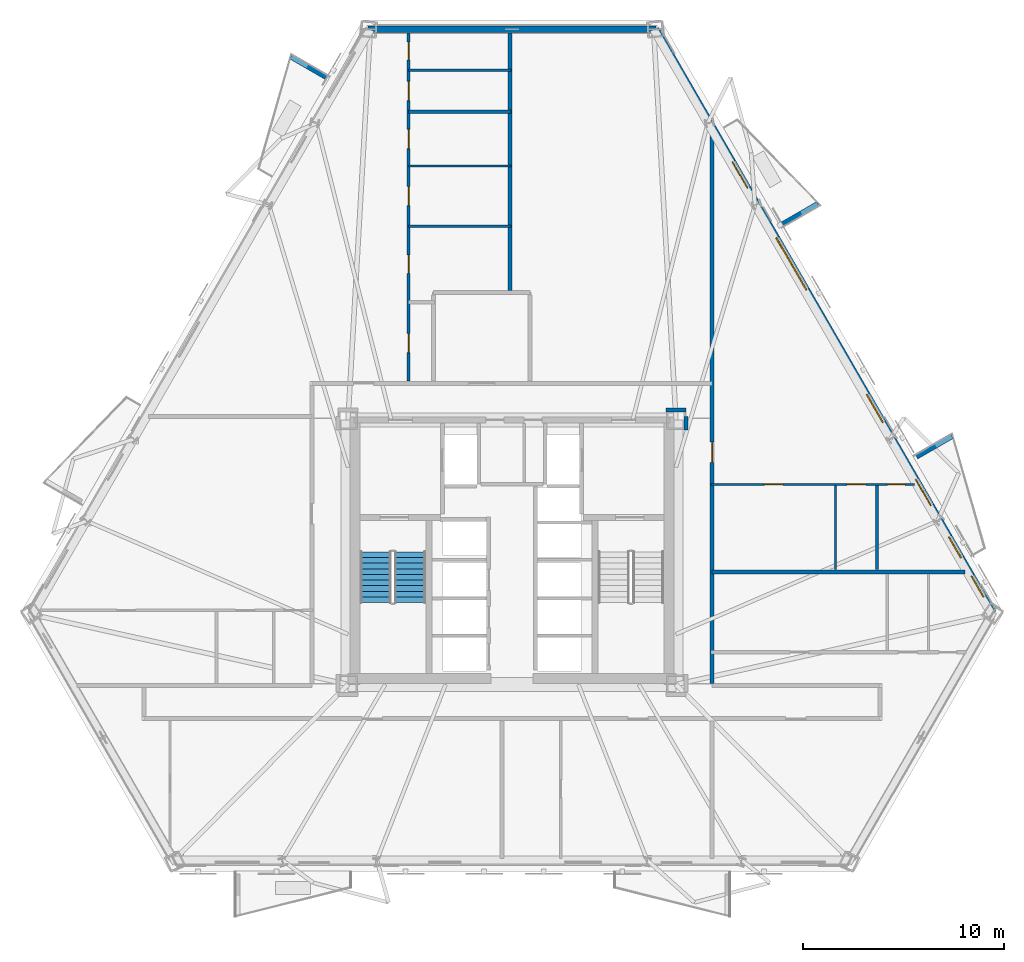
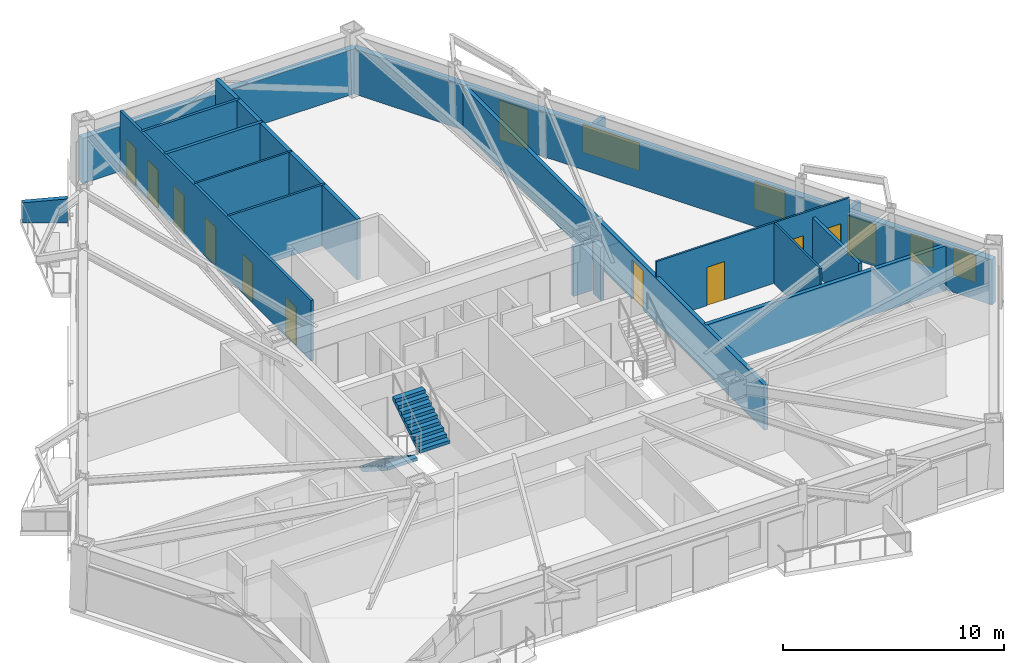
# One storey, part 5 of 10: 18 walls, 12 doors, 4 windows, 2 stair flights, 16 openings, 1 element without a shape of its own.
"""IFC4 building model written with IfcOpenShell, lengths in metres."""

from ifc_helpers import new_model, si_unit, direction, frame, frame_2d, origin, place, context, subcontext, project, spatial, polyline, rectangle, outline, extrude, material, layer, layer_set, type_object, element, fill, aggregate, save


model = new_model("IFC4")

# Units and contexts
model_context = context("Model", 3, precision=1e-05, world=origin(), true_north=direction((0.0, 1.0)))
body_context = subcontext(model_context, "Body", "Model", "MODEL_VIEW")
ifc_project = project(units=[si_unit("LENGTHUNIT", "METRE"), si_unit("AREAUNIT", "SQUARE_METRE"), si_unit("VOLUMEUNIT", "CUBIC_METRE"), si_unit("PLANEANGLEUNIT", "RADIAN"), si_unit("MASSUNIT", "GRAM", prefix="KILO")], contexts=[model_context])

# Site, building, storey
site_placement = place(None, origin())
site = spatial("IfcSite", under=ifc_project, at=site_placement, CompositionType="ELEMENT")
building_placement = place(site_placement, origin())
building = spatial("IfcBuilding", under=site, at=building_placement, Name="Oramaril Tower", CompositionType="ELEMENT")
storey_placement = place(building_placement, frame((0.0, 0.0, 56.10009765625)))
storey = spatial("IfcBuildingStorey", under=building, at=storey_placement, Name="L14", CompositionType="ELEMENT", Elevation=56.10009765625)

# Wall, openings, doors, windows
ifc_material_1 = material(Name="Warm Cream Limestone", Category="masonry")
ifc_layer_1 = layer(ifc_material_1, 0.340087890625)
ifc_layer_set_1 = layer_set([ifc_layer_1], Name="WT-EXT34")
wall_type_1 = type_object("IfcWallType", Name="WT-EXT34", PredefinedType="SOLIDWALL", material=ifc_layer_set_1)
wall_1_placement = place(storey_placement, frame((61.39599609375, 14.55859375, 0.0), z_axis=(0.0, 0.0, 1.0), x_axis=(-0.500002389912, 0.866024023964, 0.0)))
wall_1 = element("IfcWall", 1, at=wall_1_placement, inside=storey, type_object=wall_type_1, Name="L14 Tower Limestone Facade Wall 4M", PredefinedType="SOLIDWALL", context=body_context, shape_type="SweptSolid", body=[
    extrude(rectangle(XDim=33.493896484375, YDim=0.340087890625, at=frame_2d((16.7470703125, 0.0))), origin(), (0.0, 0.0, 1.0), 2.493896484375),
])
opening_1_placement = place(wall_1_placement, frame((6.159423828125, 0.0, 0.0)))
opening_1 = element("IfcOpeningElement", 2, at=opening_1_placement, cuts=wall_1, Name="Opening D-L14-BAL-NE1", PredefinedType="OPENING", context=body_context, shape_type="SweptSolid", body=[
    extrude(rectangle(XDim=1.5, YDim=2.199951171875, at=frame_2d((0.75, 1.10009765625))), frame((0.0, 0.169921875, 0.0), z_axis=(0.0, -1.0, 0.0), x_axis=(1.0, 0.0, 0.0)), (0.0, 0.0, 1.0), 0.340087890625),
])
opening_2_placement = place(wall_1_placement, frame((24.37939453125, 0.0, 0.0)))
opening_2 = element("IfcOpeningElement", 3, at=opening_2_placement, cuts=wall_1, Name="Opening D-L14-BAL-NE2", PredefinedType="OPENING", context=body_context, shape_type="SweptSolid", body=[
    extrude(rectangle(XDim=1.5, YDim=2.199951171875, at=frame_2d((0.75, 1.10009765625))), frame((0.0, 0.169921875, 0.0), z_axis=(0.0, -1.0, 0.0), x_axis=(1.0, 0.0, 0.0)), (0.0, 0.0, 1.0), 0.340087890625),
])
opening_3_placement = place(wall_1_placement, frame((0.919921875, 0.0, 0.85009765625)))
opening_3 = element("IfcOpeningElement", 4, at=opening_3_placement, cuts=wall_1, Name="Opening WN-09", PredefinedType="OPENING", context=body_context, shape_type="SweptSolid", body=[
    extrude(rectangle(XDim=1.199951171875, YDim=1.47998046875, at=frame_2d((0.60009765625, 0.739990234375))), frame((0.0, 0.169921875, 0.0), z_axis=(0.0, -1.0, 0.0), x_axis=(1.0, 0.0, 0.0)), (0.0, 0.0, 1.0), 0.340087890625),
])
opening_4_placement = place(wall_1_placement, frame((10.927978515625, 0.0, 0.85009765625)))
opening_4 = element("IfcOpeningElement", 5, at=opening_4_placement, cuts=wall_1, Name="Opening WN-07", PredefinedType="OPENING", context=body_context, shape_type="SweptSolid", body=[
    extrude(rectangle(XDim=1.60009765625, YDim=1.533935546875, at=frame_2d((0.800048828125, 0.76708984375))), frame((0.0, 0.169921875, 0.0), z_axis=(0.0, -1.0, 0.0), x_axis=(1.0, 0.0, 0.0)), (0.0, 0.0, 1.0), 0.340087890625),
])
opening_5_placement = place(wall_1_placement, frame((18.528564453125, 0.0, 0.85009765625)))
opening_5 = element("IfcOpeningElement", 6, at=opening_5_placement, cuts=wall_1, Name="Opening WN-10", PredefinedType="OPENING", context=body_context, shape_type="SweptSolid", body=[
    extrude(rectangle(XDim=3.0, YDim=1.533935546875, at=frame_2d((1.5, 0.76708984375))), frame((0.0, 0.169921875, 0.0), z_axis=(0.0, -1.0, 0.0), x_axis=(1.0, 0.0, 0.0)), (0.0, 0.0, 1.0), 0.340087890625),
])
opening_6_placement = place(wall_1_placement, frame((3.16162109375, 0.0, 0.85009765625)))
opening_6 = element("IfcOpeningElement", 7, at=opening_6_placement, cuts=wall_1, Name="Opening WN-09", PredefinedType="OPENING", context=body_context, shape_type="SweptSolid", body=[
    extrude(rectangle(XDim=1.199951171875, YDim=1.47998046875, at=frame_2d((0.60009765625, 0.739990234375))), frame((0.0, 0.169921875, 0.0), z_axis=(0.0, -1.0, 0.0), x_axis=(1.0, 0.0, 0.0)), (0.0, 0.0, 1.0), 0.340087890625),
])
ifc_material_2 = material(Name="Anodised Aluminium 6063-T6", Category="aluminium")
door_type_1 = type_object("IfcDoorType", Name="DT-BAL", OperationType="NOTDEFINED", PredefinedType="DOOR", material=ifc_material_2)
door_1_placement = place(opening_1_placement, origin())
door_1 = element("IfcDoor", 8, at=door_1_placement, inside=storey, type_object=door_type_1, Name="L14 Balcony Glazed Door L14-BAL-NE1", OperationType="SINGLE_SWING_LEFT", OverallHeight=2.199951171875, OverallWidth=1.5, PredefinedType="DOOR", context=body_context, shape_type="SweptSolid", body=[
    extrude(rectangle(XDim=1.5, YDim=2.199951171875, at=frame_2d((0.75, 1.10009765625))), frame((0.0, 0.02490234375, 0.0), z_axis=(0.0, -1.0, 0.0), x_axis=(1.0, 0.0, 0.0)), (0.0, 0.0, 1.0), 0.050048828125),
])
fill(opening_1, door_1)
door_2_placement = place(opening_2_placement, origin())
door_2 = element("IfcDoor", 9, at=door_2_placement, inside=storey, type_object=door_type_1, Name="L14 Balcony Glazed Door L14-BAL-NE2", OperationType="SINGLE_SWING_RIGHT", OverallHeight=2.199951171875, OverallWidth=1.5, PredefinedType="DOOR", context=body_context, shape_type="SweptSolid", body=[
    extrude(rectangle(XDim=1.5, YDim=2.199951171875, at=frame_2d((0.75, 1.10009765625))), frame((0.0, 0.02490234375, 0.0), z_axis=(0.0, -1.0, 0.0), x_axis=(1.0, 0.0, 0.0)), (0.0, 0.0, 1.0), 0.050048828125),
])
fill(opening_2, door_2)
ifc_material_3 = material(Name="Coastal Low-E Insulated Glass", Category="glass")
window_type_1 = type_object("IfcWindowType", Name="WNT-07", PartitioningType="SINGLE_PANEL", PredefinedType="WINDOW", material=ifc_material_3)
window_1_placement = place(opening_4_placement, origin())
window_1 = element("IfcWindow", 10, at=window_1_placement, inside=storey, type_object=window_type_1, Name="L14 Chicago Bay Window WN-07", OverallHeight=1.533935546875, OverallWidth=1.60009765625, PartitioningType="SINGLE_PANEL", PredefinedType="WINDOW", context=body_context, shape_type="SweptSolid", body=[
    extrude(rectangle(XDim=1.60009765625, YDim=1.533935546875, at=frame_2d((0.800048828125, 0.76708984375))), frame((0.0, 0.030029296875, 0.0), z_axis=(0.0, -1.0, 0.0), x_axis=(1.0, 0.0, 0.0)), (0.0, 0.0, 1.0), 0.06005859375),
])
fill(opening_4, window_1)
ifc_material_4 = material(Name="Coastal Low-E Insulated Glass", Category="glass")
window_type_2 = type_object("IfcWindowType", Name="WNT-09", PartitioningType="SINGLE_PANEL", PredefinedType="WINDOW", material=ifc_material_4)
window_2_placement = place(opening_3_placement, origin())
window_2 = element("IfcWindow", 11, at=window_2_placement, inside=storey, type_object=window_type_2, Name="L14 Chicago Bay Window WN-09", OverallHeight=1.47998046875, OverallWidth=1.199951171875, PartitioningType="SINGLE_PANEL", PredefinedType="WINDOW", context=body_context, shape_type="SweptSolid", body=[
    extrude(rectangle(XDim=1.199951171875, YDim=1.47998046875, at=frame_2d((0.60009765625, 0.739990234375))), frame((0.0, 0.030029296875, 0.0), z_axis=(0.0, -1.0, 0.0), x_axis=(1.0, 0.0, 0.0)), (0.0, 0.0, 1.0), 0.06005859375),
])
fill(opening_3, window_2)
window_3_placement = place(opening_6_placement, origin())
window_3 = element("IfcWindow", 12, at=window_3_placement, inside=storey, type_object=window_type_2, Name="L14 Chicago Bay Window WN-09", OverallHeight=1.47998046875, OverallWidth=1.199951171875, PartitioningType="SINGLE_PANEL", PredefinedType="WINDOW", context=body_context, shape_type="SweptSolid", body=[
    extrude(rectangle(XDim=1.199951171875, YDim=1.47998046875, at=frame_2d((0.60009765625, 0.739990234375))), frame((0.0, 0.030029296875, 0.0), z_axis=(0.0, -1.0, 0.0), x_axis=(1.0, 0.0, 0.0)), (0.0, 0.0, 1.0), 0.06005859375),
])
fill(opening_6, window_3)
ifc_material_5 = material(Name="Coastal Low-E Insulated Glass", Category="glass")
window_type_3 = type_object("IfcWindowType", Name="WNT-10", PartitioningType="SINGLE_PANEL", PredefinedType="WINDOW", material=ifc_material_5)
window_4_placement = place(opening_5_placement, origin())
window_4 = element("IfcWindow", 13, at=window_4_placement, inside=storey, type_object=window_type_3, Name="L14 Chicago Bay Window WN-10", OverallHeight=1.533935546875, OverallWidth=3.0, PartitioningType="SINGLE_PANEL", PredefinedType="WINDOW", context=body_context, shape_type="SweptSolid", body=[
    extrude(rectangle(XDim=3.0, YDim=1.533935546875, at=frame_2d((1.5, 0.76708984375))), frame((0.0, 0.030029296875, 0.0), z_axis=(0.0, -1.0, 0.0), x_axis=(1.0, 0.0, 0.0)), (0.0, 0.0, 1.0), 0.06005859375),
])
fill(opening_5, window_4)

# Walls
wall_2_placement = place(storey_placement, frame((44.64892578125, 43.565185546875, 0.0), z_axis=(0.0, 0.0, 1.0), x_axis=(-1.0, 0.0, 0.0)))
element("IfcWall", 14, at=wall_2_placement, inside=storey, type_object=wall_type_1, Name="L14 Tower Limestone Facade Wall 5M", PredefinedType="SOLIDWALL", context=body_context, shape_type="SweptSolid", body=[
    extrude(rectangle(XDim=14.2978515625, YDim=0.340087890625, at=frame_2d((7.14892578125, 0.0))), origin(), (0.0, 0.0, 1.0), 2.493896484375),
])
ifc_material_6 = material(Name="Concrete C40/50", Category="concrete")
ifc_layer_2 = layer(ifc_material_6, 0.22998046875)
ifc_layer_set_2 = layer_set([ifc_layer_2], Name="WT-PRP23")
wall_type_2 = type_object("IfcWallType", Name="WT-PRP23", PredefinedType="PARAPET", material=ifc_layer_set_2)
for number, where, z_axis, x_axis, name in (
    (15, (57.611572265625, 22.30908203125, 0.0), (0.0, 0.0, 1.0), (0.866012356593, 0.500022597718, 0.0), "L14 Trapezoidal Balcony Frame Cheek L14-BAL-NE1-R"),
    (16, (50.931640625, 33.87939453125, 0.0), (0.0, 0.0, 1.0), (0.866012356593, 0.500022597718, 0.0), "L14 Trapezoidal Balcony Frame Cheek L14-BAL-NE2-L"),
    (17, (28.27587890625, 41.1669921875, 0.0), (0.0, 0.0, 1.0), (-0.866012356593, 0.500022597718, 0.0), "L14 Trapezoidal Balcony Frame Cheek L14-BAL-NW1-L"),
):
    element("IfcWall", number, at=place(storey_placement, frame(where, z_axis=z_axis, x_axis=x_axis)), inside=storey, type_object=wall_type_2, Name=name, PredefinedType="PARAPET", context=body_context, shape_type="SweptSolid", body=[
        extrude(outline(polyline([(0.0, 0.0), (2.0419921875, 0.0), (2.0419921875, 1.099853515625), (0.0, 1.31982421875), (0.0, 0.0)])), frame((0.0, 0.114990234375, 0.0), z_axis=(0.0, -1.0, 0.0), x_axis=(1.0, 0.0, 0.0)), (0.0, 0.0, 1.0), 0.22998046875),
    ])

# Wall, openings, doors
ifc_material_7 = material(Name="Acoustic Gypsum Board Partition")
ifc_layer_3 = layer(ifc_material_7, 0.10009765625)
ifc_layer_set_3 = layer_set([ifc_layer_3], Name="WT-PT10")
wall_type_3 = type_object("IfcWallType", Name="WT-PT10", PredefinedType="PARTITIONING", material=ifc_layer_set_3)
wall_3_placement = place(storey_placement, frame((47.39990234375, 20.949951171875, 0.0), z_axis=(0.0, 0.0, 1.0), x_axis=(1.0, 0.0, 0.0)))
wall_3 = element("IfcWall", 18, at=wall_3_placement, inside=storey, type_object=wall_type_3, Name="L14 Interior Partition PT-10", PredefinedType="PARTITIONING", context=body_context, shape_type="SweptSolid", body=[
    extrude(rectangle(XDim=10.10498046875, YDim=0.10009765625, at=frame_2d((5.052490234375, 0.0))), origin(), (0.0, 0.0, 1.0), 3.35986328125),
])
opening_7_placement = place(wall_3_placement, frame((2.646240234375, 0.0, 0.0)))
opening_7 = element("IfcOpeningElement", 19, at=opening_7_placement, cuts=wall_3, Name="Opening D-L14-10", PredefinedType="OPENING", context=body_context, shape_type="SweptSolid", body=[
    extrude(rectangle(XDim=0.919921875, YDim=2.1201171875, at=frame_2d((0.4599609375, 1.06005859375))), frame((0.0, 0.050048828125, 0.0), z_axis=(0.0, -1.0, 0.0), x_axis=(1.0, 0.0, 0.0)), (0.0, 0.0, 1.0), 0.10009765625),
])
opening_8_placement = place(wall_3_placement, frame((6.74267578125, 0.0, 0.0)))
opening_8 = element("IfcOpeningElement", 20, at=opening_8_placement, cuts=wall_3, Name="Opening D-L14-11", PredefinedType="OPENING", context=body_context, shape_type="SweptSolid", body=[
    extrude(rectangle(XDim=0.949951171875, YDim=2.10009765625, at=frame_2d((0.47509765625, 1.050048828125))), frame((0.0, 0.050048828125, 0.0), z_axis=(0.0, -1.0, 0.0), x_axis=(1.0, 0.0, 0.0)), (0.0, 0.0, 1.0), 0.10009765625),
])
opening_9_placement = place(wall_3_placement, frame((8.7626953125, 0.0, 0.0)))
opening_9 = element("IfcOpeningElement", 21, at=opening_9_placement, cuts=wall_3, Name="Opening D-L14-12", PredefinedType="OPENING", context=body_context, shape_type="SweptSolid", body=[
    extrude(rectangle(XDim=0.8798828125, YDim=2.080078125, at=frame_2d((0.43994140625, 1.0400390625))), frame((0.0, 0.050048828125, 0.0), z_axis=(0.0, -1.0, 0.0), x_axis=(1.0, 0.0, 0.0)), (0.0, 0.0, 1.0), 0.10009765625),
])
ifc_material_8 = material(Name="FSC Brazilian Freijo Hardwood", Category="wood")
door_type_2 = type_object("IfcDoorType", Name="DT-BATH", OperationType="NOTDEFINED", PredefinedType="DOOR", material=ifc_material_8)
door_3_placement = place(opening_9_placement, origin())
door_3 = element("IfcDoor", 22, at=door_3_placement, inside=storey, type_object=door_type_2, Name="L14 Flat L14-U5 Bathroom Door D-L14-12", OperationType="SINGLE_SWING_LEFT", OverallHeight=2.080078125, OverallWidth=0.8798828125, PredefinedType="DOOR", context=body_context, shape_type="SweptSolid", body=[
    extrude(rectangle(XDim=0.8798828125, YDim=2.080078125, at=frame_2d((0.43994140625, 1.0400390625))), frame((0.0, 0.02490234375, 0.0), z_axis=(0.0, -1.0, 0.0), x_axis=(1.0, 0.0, 0.0)), (0.0, 0.0, 1.0), 0.050048828125),
])
fill(opening_9, door_3)
ifc_material_9 = material(Name="FSC Brazilian Freijo Hardwood", Category="wood")
door_type_3 = type_object("IfcDoorType", Name="DT-BED", OperationType="NOTDEFINED", PredefinedType="DOOR", material=ifc_material_9)
door_4_placement = place(opening_7_placement, origin())
door_4 = element("IfcDoor", 23, at=door_4_placement, inside=storey, type_object=door_type_3, Name="L14 Flat L14-U5 Master Bedroom Door D-L14-10", OperationType="SINGLE_SWING_LEFT", OverallHeight=2.1201171875, OverallWidth=0.919921875, PredefinedType="DOOR", context=body_context, shape_type="SweptSolid", body=[
    extrude(rectangle(XDim=0.919921875, YDim=2.1201171875, at=frame_2d((0.4599609375, 1.06005859375))), frame((0.0, 0.02490234375, 0.0), z_axis=(0.0, -1.0, 0.0), x_axis=(1.0, 0.0, 0.0)), (0.0, 0.0, 1.0), 0.050048828125),
])
fill(opening_7, door_4)
ifc_material_10 = material(Name="FSC Brazilian Freijo Hardwood", Category="wood")
door_type_4 = type_object("IfcDoorType", Name="DT-STDY", OperationType="NOTDEFINED", PredefinedType="DOOR", material=ifc_material_10)
door_5_placement = place(opening_8_placement, origin())
door_5 = element("IfcDoor", 24, at=door_5_placement, inside=storey, type_object=door_type_4, Name="L14 Flat L14-U5 Kitchen Door D-L14-11", OperationType="SINGLE_SWING_RIGHT", OverallHeight=2.10009765625, OverallWidth=0.949951171875, PredefinedType="DOOR", context=body_context, shape_type="SweptSolid", body=[
    extrude(rectangle(XDim=0.949951171875, YDim=2.10009765625, at=frame_2d((0.47509765625, 1.050048828125))), frame((0.0, 0.02490234375, 0.0), z_axis=(0.0, -1.0, 0.0), x_axis=(1.0, 0.0, 0.0)), (0.0, 0.0, 1.0), 0.050048828125),
])
fill(opening_8, door_5)

# Walls
wall_4_placement = place(storey_placement, frame((32.363525390625, 36.760009765625, 0.0), z_axis=(0.0, 0.0, 1.0), x_axis=(1.0, 0.0, 0.0)))
element("IfcWall", 25, at=wall_4_placement, inside=storey, type_object=wall_type_3, Name="L14 Interior Partition PT-10", PredefinedType="PARTITIONING", context=body_context, shape_type="SweptSolid", body=[
    extrude(rectangle(XDim=5.08642578125, YDim=0.10009765625, at=frame_2d((2.543212890625, 0.0))), origin(), (0.0, 0.0, 1.0), 3.35986328125),
])
wall_5_placement = place(storey_placement, frame((53.590087890625, 16.7041015625, 0.0), z_axis=(0.0, 0.0, 1.0), x_axis=(0.0, 1.0, 0.0)))
element("IfcWall", 26, at=wall_5_placement, inside=storey, type_object=wall_type_3, Name="L14 Interior Partition PT-10", PredefinedType="PARTITIONING", context=body_context, shape_type="SweptSolid", body=[
    extrude(rectangle(XDim=4.19189453125, YDim=0.10009765625, at=frame_2d((2.095947265625, 0.0))), origin(), (0.0, 0.0, 1.0), 3.35986328125),
])
ifc_material_11 = material(Name="Acoustic Gypsum Board Partition")
ifc_layer_4 = layer(ifc_material_11, 0.1201171875)
ifc_layer_set_4 = layer_set([ifc_layer_4], Name="WT-PT12")
wall_type_4 = type_object("IfcWallType", Name="WT-PT12", PredefinedType="PARTITIONING", material=ifc_layer_set_4)
wall_6_placement = place(storey_placement, frame((32.363525390625, 33.780029296875, 0.0), z_axis=(0.0, 0.0, 1.0), x_axis=(1.0, 0.0, 0.0)))
element("IfcWall", 27, at=wall_6_placement, inside=storey, type_object=wall_type_4, Name="L14 Interior Partition PT-12", PredefinedType="PARTITIONING", context=body_context, shape_type="SweptSolid", body=[
    extrude(rectangle(XDim=5.08642578125, YDim=0.1201171875, at=frame_2d((2.543212890625, 0.0))), origin(), (0.0, 0.0, 1.0), 3.35986328125),
])
ifc_material_12 = material(Name="Acoustic Gypsum Board Partition")
ifc_layer_5 = layer(ifc_material_12, 0.139892578125)
ifc_layer_set_5 = layer_set([ifc_layer_5], Name="WT-PT14")
wall_type_5 = type_object("IfcWallType", Name="WT-PT14", PredefinedType="PARTITIONING", material=ifc_layer_set_5)
wall_7_placement = place(storey_placement, frame((32.363525390625, 41.530029296875, 0.0), z_axis=(0.0, 0.0, 1.0), x_axis=(1.0, 0.0, 0.0)))
element("IfcWall", 28, at=wall_7_placement, inside=storey, type_object=wall_type_5, Name="L14 Interior Partition PT-14", PredefinedType="PARTITIONING", context=body_context, shape_type="SweptSolid", body=[
    extrude(rectangle(XDim=5.08642578125, YDim=0.139892578125, at=frame_2d((2.543212890625, 0.0))), origin(), (0.0, 0.0, 1.0), 3.35986328125),
])

# Wall, openings, doors
wall_8_placement = place(storey_placement, frame((32.360107421875, 26.073974609375, 0.0), z_axis=(0.0, 0.0, 1.0), x_axis=(0.0, 1.0, 0.0)))
wall_8 = element("IfcWall", 29, at=wall_8_placement, inside=storey, type_object=wall_type_5, Name="L14 Interior Partition PT-14", PredefinedType="PARTITIONING", context=body_context, shape_type="SweptSolid", body=[
    extrude(rectangle(XDim=17.317138671875, YDim=0.139892578125, at=frame_2d((8.65869140625, 0.0))), origin(), (0.0, 0.0, 1.0), 3.35986328125),
])
opening_10_placement = place(wall_8_placement, frame((1.419189453125, 0.0, 0.0)))
opening_10 = element("IfcOpeningElement", 30, at=opening_10_placement, cuts=wall_8, Name="Opening D-L14-17", PredefinedType="OPENING", context=body_context, shape_type="SweptSolid", body=[
    extrude(rectangle(XDim=0.949951171875, YDim=2.10009765625, at=frame_2d((0.47509765625, 1.050048828125))), frame((0.0, 0.06982421875, 0.0), z_axis=(0.0, -1.0, 0.0), x_axis=(1.0, 0.0, 0.0)), (0.0, 0.0, 1.0), 0.139892578125),
])
opening_11_placement = place(wall_8_placement, frame((5.355712890625, 0.0, 0.0)))
opening_11 = element("IfcOpeningElement", 31, at=opening_11_placement, cuts=wall_8, Name="Opening D-L14-18", PredefinedType="OPENING", context=body_context, shape_type="SweptSolid", body=[
    extrude(rectangle(XDim=0.919921875, YDim=2.1201171875, at=frame_2d((0.4599609375, 1.06005859375))), frame((0.0, 0.06982421875, 0.0), z_axis=(0.0, -1.0, 0.0), x_axis=(1.0, 0.0, 0.0)), (0.0, 0.0, 1.0), 0.139892578125),
])
opening_12_placement = place(wall_8_placement, frame((8.72119140625, 0.0, 0.0)))
opening_12 = element("IfcOpeningElement", 32, at=opening_12_placement, cuts=wall_8, Name="Opening D-L14-19", PredefinedType="OPENING", context=body_context, shape_type="SweptSolid", body=[
    extrude(rectangle(XDim=0.949951171875, YDim=2.10009765625, at=frame_2d((0.47509765625, 1.050048828125))), frame((0.0, 0.06982421875, 0.0), z_axis=(0.0, -1.0, 0.0), x_axis=(1.0, 0.0, 0.0)), (0.0, 0.0, 1.0), 0.139892578125),
])
opening_13_placement = place(wall_8_placement, frame((11.560791015625, 0.0, 0.0)))
opening_13 = element("IfcOpeningElement", 33, at=opening_13_placement, cuts=wall_8, Name="Opening D-L14-20", PredefinedType="OPENING", context=body_context, shape_type="SweptSolid", body=[
    extrude(rectangle(XDim=0.949951171875, YDim=2.10009765625, at=frame_2d((0.47509765625, 1.050048828125))), frame((0.0, 0.06982421875, 0.0), z_axis=(0.0, -1.0, 0.0), x_axis=(1.0, 0.0, 0.0)), (0.0, 0.0, 1.0), 0.139892578125),
])
opening_14_placement = place(wall_8_placement, frame((13.944580078125, 0.0, 0.0)))
opening_14 = element("IfcOpeningElement", 34, at=opening_14_placement, cuts=wall_8, Name="Opening D-L14-21", PredefinedType="OPENING", context=body_context, shape_type="SweptSolid", body=[
    extrude(rectangle(XDim=0.949951171875, YDim=2.10009765625, at=frame_2d((0.47509765625, 1.050048828125))), frame((0.0, 0.06982421875, 0.0), z_axis=(0.0, -1.0, 0.0), x_axis=(1.0, 0.0, 0.0)), (0.0, 0.0, 1.0), 0.139892578125),
])
opening_15_placement = place(wall_8_placement, frame((15.97119140625, 0.0, 0.0)))
opening_15 = element("IfcOpeningElement", 35, at=opening_15_placement, cuts=wall_8, Name="Opening D-L14-22", PredefinedType="OPENING", context=body_context, shape_type="SweptSolid", body=[
    extrude(rectangle(XDim=0.8798828125, YDim=2.080078125, at=frame_2d((0.43994140625, 1.0400390625))), frame((0.0, 0.06982421875, 0.0), z_axis=(0.0, -1.0, 0.0), x_axis=(1.0, 0.0, 0.0)), (0.0, 0.0, 1.0), 0.139892578125),
])
door_6_placement = place(opening_15_placement, origin())
door_6 = element("IfcDoor", 36, at=door_6_placement, inside=storey, type_object=door_type_2, Name="L14 Flat L14-U6 Bathroom Door D-L14-22", OperationType="SINGLE_SWING_LEFT", OverallHeight=2.080078125, OverallWidth=0.8798828125, PredefinedType="DOOR", context=body_context, shape_type="SweptSolid", body=[
    extrude(rectangle(XDim=0.8798828125, YDim=2.080078125, at=frame_2d((0.43994140625, 1.0400390625))), frame((0.0, 0.02490234375, 0.0), z_axis=(0.0, -1.0, 0.0), x_axis=(1.0, 0.0, 0.0)), (0.0, 0.0, 1.0), 0.050048828125),
])
fill(opening_15, door_6)
door_7_placement = place(opening_11_placement, origin())
door_7 = element("IfcDoor", 37, at=door_7_placement, inside=storey, type_object=door_type_3, Name="L14 Flat L14-U6 Bedroom 2 Door D-L14-18", OperationType="SINGLE_SWING_LEFT", OverallHeight=2.1201171875, OverallWidth=0.919921875, PredefinedType="DOOR", context=body_context, shape_type="SweptSolid", body=[
    extrude(rectangle(XDim=0.919921875, YDim=2.1201171875, at=frame_2d((0.4599609375, 1.06005859375))), frame((0.0, 0.02490234375, 0.0), z_axis=(0.0, -1.0, 0.0), x_axis=(1.0, 0.0, 0.0)), (0.0, 0.0, 1.0), 0.050048828125),
])
fill(opening_11, door_7)
door_8_placement = place(opening_10_placement, origin())
door_8 = element("IfcDoor", 38, at=door_8_placement, inside=storey, type_object=door_type_4, Name="L14 Flat L14-U6 Breakfast Dining Room Door D-L14-17", OperationType="SINGLE_SWING_RIGHT", OverallHeight=2.10009765625, OverallWidth=0.949951171875, PredefinedType="DOOR", context=body_context, shape_type="SweptSolid", body=[
    extrude(rectangle(XDim=0.949951171875, YDim=2.10009765625, at=frame_2d((0.47509765625, 1.050048828125))), frame((0.0, 0.02490234375, 0.0), z_axis=(0.0, -1.0, 0.0), x_axis=(1.0, 0.0, 0.0)), (0.0, 0.0, 1.0), 0.050048828125),
])
fill(opening_10, door_8)
door_9_placement = place(opening_12_placement, origin())
door_9 = element("IfcDoor", 39, at=door_9_placement, inside=storey, type_object=door_type_4, Name="L14 Flat L14-U6 Home Office Door D-L14-19", OperationType="SINGLE_SWING_RIGHT", OverallHeight=2.10009765625, OverallWidth=0.949951171875, PredefinedType="DOOR", context=body_context, shape_type="SweptSolid", body=[
    extrude(rectangle(XDim=0.949951171875, YDim=2.10009765625, at=frame_2d((0.47509765625, 1.050048828125))), frame((0.0, 0.02490234375, 0.0), z_axis=(0.0, -1.0, 0.0), x_axis=(1.0, 0.0, 0.0)), (0.0, 0.0, 1.0), 0.050048828125),
])
fill(opening_12, door_9)
door_10_placement = place(opening_13_placement, origin())
door_10 = element("IfcDoor", 40, at=door_10_placement, inside=storey, type_object=door_type_4, Name="L14 Flat L14-U6 Private Dining Room Door D-L14-20", OperationType="SINGLE_SWING_LEFT", OverallHeight=2.10009765625, OverallWidth=0.949951171875, PredefinedType="DOOR", context=body_context, shape_type="SweptSolid", body=[
    extrude(rectangle(XDim=0.949951171875, YDim=2.10009765625, at=frame_2d((0.47509765625, 1.050048828125))), frame((0.0, 0.02490234375, 0.0), z_axis=(0.0, -1.0, 0.0), x_axis=(1.0, 0.0, 0.0)), (0.0, 0.0, 1.0), 0.050048828125),
])
fill(opening_13, door_10)
door_11_placement = place(opening_14_placement, origin())
door_11 = element("IfcDoor", 41, at=door_11_placement, inside=storey, type_object=door_type_4, Name="L14 Flat L14-U6 Kitchen Door D-L14-21", OperationType="SINGLE_SWING_RIGHT", OverallHeight=2.10009765625, OverallWidth=0.949951171875, PredefinedType="DOOR", context=body_context, shape_type="SweptSolid", body=[
    extrude(rectangle(XDim=0.949951171875, YDim=2.10009765625, at=frame_2d((0.47509765625, 1.050048828125))), frame((0.0, 0.02490234375, 0.0), z_axis=(0.0, -1.0, 0.0), x_axis=(1.0, 0.0, 0.0)), (0.0, 0.0, 1.0), 0.050048828125),
])
fill(opening_14, door_11)

# Walls
ifc_material_13 = material(Name="Acoustic Gypsum Board Partition")
ifc_layer_6 = layer(ifc_material_13, 0.159912109375)
ifc_layer_set_6 = layer_set([ifc_layer_6], Name="WT-PT16")
wall_type_6 = type_object("IfcWallType", Name="WT-PT16", PredefinedType="PARTITIONING", material=ifc_layer_set_6)
wall_9_placement = place(storey_placement, frame((32.363525390625, 39.4599609375, 0.0), z_axis=(0.0, 0.0, 1.0), x_axis=(1.0, 0.0, 0.0)))
element("IfcWall", 42, at=wall_9_placement, inside=storey, type_object=wall_type_6, Name="L14 Interior Partition PT-16", PredefinedType="PARTITIONING", context=body_context, shape_type="SweptSolid", body=[
    extrude(rectangle(XDim=5.08642578125, YDim=0.159912109375, at=frame_2d((2.543212890625, 0.0))), origin(), (0.0, 0.0, 1.0), 3.35986328125),
])
wall_10_placement = place(storey_placement, frame((55.639892578125, 16.7041015625, 0.0), z_axis=(0.0, 0.0, 1.0), x_axis=(0.0, 1.0, 0.0)))
element("IfcWall", 43, at=wall_10_placement, inside=storey, type_object=wall_type_6, Name="L14 Interior Partition PT-16", PredefinedType="PARTITIONING", context=body_context, shape_type="SweptSolid", body=[
    extrude(rectangle(XDim=4.19189453125, YDim=0.159912109375, at=frame_2d((2.095947265625, 0.0))), origin(), (0.0, 0.0, 1.0), 2.94580078125),
])
ifc_material_14 = material(Name="Autoclaved Cellular Concrete Block", Category="concrete")
ifc_layer_7 = layer(ifc_material_14, 0.199951171875)
ifc_layer_set_7 = layer_set([ifc_layer_7], Name="WT-PT20")
wall_type_7 = type_object("IfcWallType", Name="WT-PT20", PredefinedType="PARTITIONING", material=ifc_layer_set_7)
wall_11_placement = place(storey_placement, frame((47.449951171875, 16.60009765625, 0.0), z_axis=(0.0, 0.0, 1.0), x_axis=(1.0, 0.0, 0.0)))
element("IfcWall", 44, at=wall_11_placement, inside=storey, type_object=wall_type_7, Name="L14 Interior Partition PT-20", PredefinedType="PARTITIONING", context=body_context, shape_type="SweptSolid", body=[
    extrude(rectangle(XDim=12.56640625, YDim=0.199951171875, at=frame_2d((6.283203125, 0.0))), origin(), (0.0, 0.0, 1.0), 2.493896484375),
])
wall_12_placement = place(storey_placement, frame((45.155029296875, 24.639892578125, 0.0), z_axis=(0.0, 0.0, 1.0), x_axis=(1.0, 0.0, 0.0)))
element("IfcWall", 45, at=wall_12_placement, inside=storey, type_object=wall_type_7, Name="L14 Interior Partition PT-20", PredefinedType="PARTITIONING", context=body_context, shape_type="SweptSolid", body=[
    extrude(rectangle(XDim=0.989990234375, YDim=0.199951171875, at=frame_2d((0.4951171875, 0.0))), origin(), (0.0, 0.0, 1.0), 2.73779296875),
])
wall_13_placement = place(storey_placement, frame((37.39990234375, 30.573974609375, 0.0), z_axis=(0.0, 0.0, 1.0), x_axis=(0.0, 1.0, 0.0)))
element("IfcWall", 46, at=wall_13_placement, inside=storey, type_object=wall_type_7, Name="L14 Interior Partition PT-20", PredefinedType="PARTITIONING", context=body_context, shape_type="SweptSolid", body=[
    extrude(rectangle(XDim=12.817138671875, YDim=0.199951171875, at=frame_2d((6.40869140625, 0.0))), origin(), (0.0, 0.0, 1.0), 3.35986328125),
])
wall_14_placement = place(storey_placement, frame((46.14990234375, 23.655029296875, 0.0), z_axis=(0.0, 0.0, 1.0), x_axis=(0.0, 1.0, 0.0)))
element("IfcWall", 47, at=wall_14_placement, inside=storey, type_object=wall_type_7, Name="L14 Interior Partition PT-20", PredefinedType="PARTITIONING", context=body_context, shape_type="SweptSolid", body=[
    extrude(rectangle(XDim=0.6650390625, YDim=0.199951171875, at=frame_2d((0.33251953125, 0.0))), origin(), (0.0, 0.0, 1.0), 2.94580078125),
])

# Wall, opening, door
wall_15_placement = place(storey_placement, frame((47.449951171875, 11.053955078125, 0.0), z_axis=(0.0, 0.0, 1.0), x_axis=(0.0, 1.0, 0.0)))
wall_15 = element("IfcWall", 48, at=wall_15_placement, inside=storey, type_object=wall_type_7, Name="L14 Interior Partition PT-20", PredefinedType="PARTITIONING", context=body_context, shape_type="SweptSolid", body=[
    extrude(rectangle(XDim=27.311767578125, YDim=0.199951171875, at=frame_2d((13.65576171875, 0.0))), origin(), (0.0, 0.0, 1.0), 2.493896484375),
])
opening_16_placement = place(wall_15_placement, frame((10.989013671875, 0.0, 0.0)))
opening_16 = element("IfcOpeningElement", 49, at=opening_16_placement, cuts=wall_15, Name="Opening D-L14-24", PredefinedType="OPENING", context=body_context, shape_type="SweptSolid", body=[
    extrude(rectangle(XDim=1.0, YDim=2.179931640625, at=frame_2d((0.5, 1.08984375))), frame((0.0, 0.10009765625, 0.0), z_axis=(0.0, -1.0, 0.0), x_axis=(1.0, 0.0, 0.0)), (0.0, 0.0, 1.0), 0.199951171875),
])
ifc_material_15 = material(Name="FSC Brazilian Freijo Hardwood", Category="wood")
door_type_5 = type_object("IfcDoorType", Name="DT-APT", OperationType="NOTDEFINED", PredefinedType="DOOR", material=ifc_material_15)
door_12_placement = place(opening_16_placement, origin())
door_12 = element("IfcDoor", 50, at=door_12_placement, inside=storey, type_object=door_type_5, Name="L14 Flat L14-U5 Penthouse Living and Dining Room Door D-L14-24", OperationType="SINGLE_SWING_LEFT", OverallHeight=2.179931640625, OverallWidth=1.0, PredefinedType="DOOR", context=body_context, shape_type="SweptSolid", body=[
    extrude(rectangle(XDim=1.0, YDim=2.179931640625, at=frame_2d((0.5, 1.08984375))), frame((0.0, 0.02490234375, 0.0), z_axis=(0.0, -1.0, 0.0), x_axis=(1.0, 0.0, 0.0)), (0.0, 0.0, 1.0), 0.050048828125),
])
fill(opening_16, door_12)

# Stair, stair flights
ifc_material_16 = material(Name="Concrete C50/60", Category="concrete")
stair_type = type_object("IfcStairType", Name="STT-DG-3600", PredefinedType="HALF_TURN_STAIR", material=ifc_material_16)
stair_placement = place(storey_placement, origin())
stair = element("IfcStair", 51, at=stair_placement, inside=storey, type_object=stair_type, Name="L14 Protected PFP Exit Stair ST-1", PredefinedType="HALF_TURN_STAIR")
ifc_material_17 = material(Name="Concrete C50/60", Category="concrete")
stair_flight_type = type_object("IfcStairFlightType", Name="SFT-DG-3600", PredefinedType="STRAIGHT", material=ifc_material_17)
stair_flight_1_placement = place(storey_placement, frame((30.72998046875, 17.590087890625, 0.0), z_axis=(0.0, 0.0, 1.0), x_axis=(0.0, -1.0, 0.0)))
stair_flight_1 = element("IfcStairFlight", 52, at=stair_flight_1_placement, type_object=stair_flight_type, Name="ST-1 flight 1", NumberOfRisers=10, NumberOfTreads=9, PredefinedType="STRAIGHT", RiserHeight=0.18, TreadLength=0.28, context=body_context, shape_type="SweptSolid", body=[
    extrude(outline(polyline([(0.0, 0.0), (0.0, 0.179931640625), (0.280029296875, 0.179931640625), (0.280029296875, 0.360107421875), (0.56005859375, 0.360107421875), (0.56005859375, 0.5400390625), (0.840087890625, 0.5400390625), (0.840087890625, 0.719970703125), (1.1201171875, 0.719970703125), (1.1201171875, 0.89990234375), (1.39990234375, 0.89990234375), (1.39990234375, 1.080078125), (1.679931640625, 1.080078125), (1.679931640625, 1.260009765625), (1.9599609375, 1.260009765625), (1.9599609375, 1.43994140625), (2.239990234375, 1.43994140625), (2.239990234375, 1.6201171875), (2.52001953125, 1.6201171875), (2.52001953125, 1.800048828125), (2.52001953125, 1.44189453125), (0.277099609375, 0.0), (0.0, 0.0)])), frame((0.0, 0.780029296875, 0.0), z_axis=(0.0, -1.0, 0.0), x_axis=(1.0, 0.0, 0.0)), (0.0, 0.0, 1.0), 1.56005859375),
])
stair_flight_2_placement = place(storey_placement, frame((32.43994140625, 15.070068359375, 1.7998046875), z_axis=(0.0, 0.0, 1.0), x_axis=(0.0, 1.0, 0.0)))
stair_flight_2 = element("IfcStairFlight", 53, at=stair_flight_2_placement, type_object=stair_flight_type, Name="ST-1 flight 2", NumberOfRisers=10, NumberOfTreads=9, PredefinedType="STRAIGHT", RiserHeight=0.18, TreadLength=0.28, context=body_context, shape_type="SweptSolid", body=[
    extrude(outline(polyline([(0.0, 0.0), (0.0, 0.179931640625), (0.280029296875, 0.179931640625), (0.280029296875, 0.360107421875), (0.56005859375, 0.360107421875), (0.56005859375, 0.5400390625), (0.840087890625, 0.5400390625), (0.840087890625, 0.719970703125), (1.1201171875, 0.719970703125), (1.1201171875, 0.89990234375), (1.39990234375, 0.89990234375), (1.39990234375, 1.080078125), (1.679931640625, 1.080078125), (1.679931640625, 1.260009765625), (1.9599609375, 1.260009765625), (1.9599609375, 1.43994140625), (2.239990234375, 1.43994140625), (2.239990234375, 1.6201171875), (2.52001953125, 1.6201171875), (2.52001953125, 1.800048828125), (2.52001953125, 1.44189453125), (0.277099609375, 0.0), (0.0, 0.0)])), frame((0.0, 0.780029296875, 0.0), z_axis=(0.0, -1.0, 0.0), x_axis=(1.0, 0.0, 0.0)), (0.0, 0.0, 1.0), 1.56005859375),
])
aggregate(stair, [stair_flight_1, stair_flight_2])

save(model, "model.ifc")
